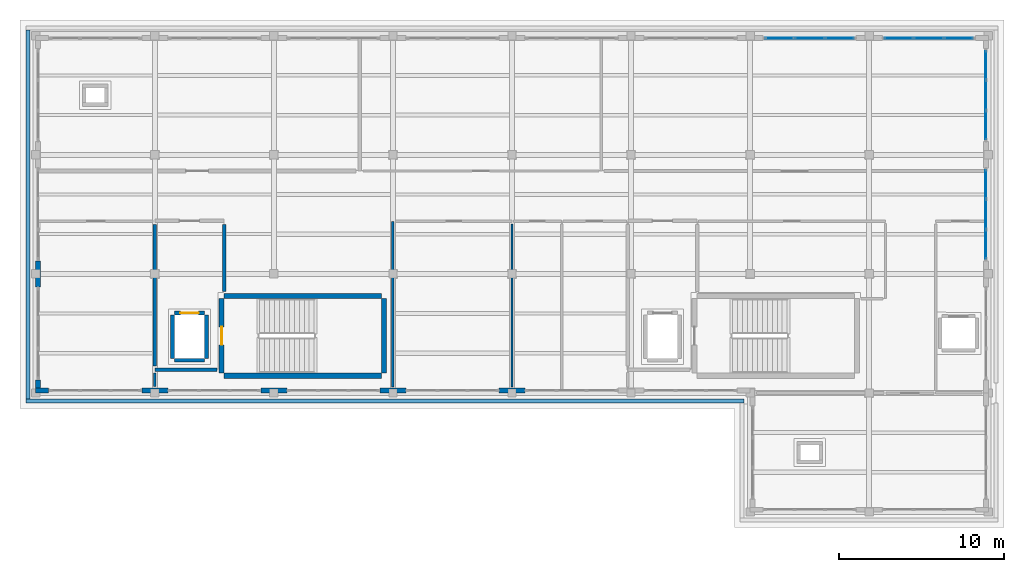
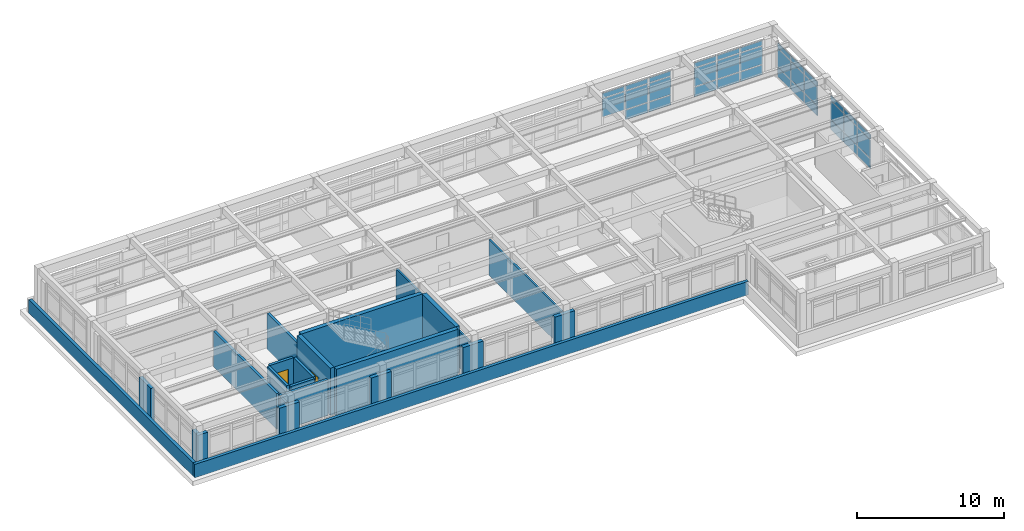
# One storey, part 13 of 18: 35 plates, 23 walls, 2 doors, 2 openings, 4 elements without a shape of their own.
"""IFC4 building model written with IfcOpenShell, lengths in metres."""

from ifc_helpers import new_model, si_unit, direction, frame, frame_2d, origin, origin_2d, place, context, subcontext, project, spatial, rectangle, extrude, material, layer, layer_set, type_object, element, fill, aggregate, save


model = new_model("IFC4")

# Units and contexts
model_context = context("Model", 3, precision=1e-05, world=origin(), true_north=direction((0.0, 1.0)))
body_context = subcontext(model_context, "Body", "Model", "MODEL_VIEW")
ifc_project = project(units=[si_unit("LENGTHUNIT", "METRE"), si_unit("AREAUNIT", "SQUARE_METRE"), si_unit("VOLUMEUNIT", "CUBIC_METRE"), si_unit("PLANEANGLEUNIT", "RADIAN"), si_unit("MASSUNIT", "GRAM", prefix="KILO")], contexts=[model_context])

# Site, building, storey
site_placement = place(None, origin())
site = spatial("IfcSite", under=ifc_project, at=site_placement, CompositionType="ELEMENT")
building_placement = place(site_placement, origin())
building = spatial("IfcBuilding", under=site, at=building_placement, Name="Solenvale Faculty of Natural Sciences", CompositionType="ELEMENT")
storey_placement = place(building_placement, frame((0.0, 0.0, 43.800048828125)))
storey = spatial("IfcBuildingStorey", under=building, at=storey_placement, Name="L10", CompositionType="ELEMENT", Elevation=43.800048828125)

# Curtain wall, plates
ifc_material_1 = material(Name="Anodised bronze aluminium", Category="aluminium")
ifc_layer_1 = layer(ifc_material_1, 0.179931640625)
ifc_layer_set_1 = layer_set([ifc_layer_1], Name="Anodised bronze aluminium")
curtain_wall_type = type_object("IfcCurtainWallType", Name="CW-TWR-MOD", PredefinedType="USERDEFINED", material=ifc_layer_set_1)
curtain_wall_1_placement = place(storey_placement, origin())
curtain_wall_1 = element("IfcCurtainWall", 1, at=curtain_wall_1_placement, inside=storey, type_object=curtain_wall_type, Name="L10 Curtain Wall CW-L10-P1-E1-B2", ObjectType="UNITISED CURTAIN WALL", PredefinedType="USERDEFINED")
ifc_layer_2 = layer(ifc_material_1, 0.053955078125)
ifc_layer_set_2 = layer_set([ifc_layer_2], Name="Anodised bronze aluminium")
plate_type_1 = type_object("IfcPlateType", Name="CWP-PNL-54", PredefinedType="CURTAIN_PANEL", material=ifc_layer_set_2)
plate_1_placement = place(storey_placement, frame((151.0576171875, 102.58544921875, 0.074951171875), z_axis=(0.0, 0.0, 1.0), x_axis=(0.0, 1.0, 0.0)))
plate_1 = element("IfcPlate", 2, at=plate_1_placement, type_object=plate_type_1, Name="CW-04 panel 1.1", PredefinedType="CURTAIN_PANEL", context=body_context, shape_type="SweptSolid", body=[
    extrude(rectangle(XDim=1.720947265625, YDim=0.053955078125, at=origin_2d()), origin(), (0.0, 0.0, 1.0), 0.78759765625),
])
plate_2_placement = place(storey_placement, frame((151.0576171875, 102.58544921875, 0.9375), z_axis=(0.0, 0.0, 1.0), x_axis=(0.0, 1.0, 0.0)))
plate_2 = element("IfcPlate", 3, at=plate_2_placement, type_object=plate_type_1, Name="CW-04 panel 1.2", PredefinedType="CURTAIN_PANEL", context=body_context, shape_type="SweptSolid", body=[
    extrude(rectangle(XDim=1.720947265625, YDim=0.053955078125, at=origin_2d()), origin(), (0.0, 0.0, 1.0), 1.485107421875),
])
plate_3_placement = place(storey_placement, frame((151.0576171875, 102.58544921875, 2.49755859375), z_axis=(0.0, 0.0, 1.0), x_axis=(0.0, 1.0, 0.0)))
plate_3 = element("IfcPlate", 4, at=plate_3_placement, type_object=plate_type_1, Name="CW-04 panel 1.3", PredefinedType="CURTAIN_PANEL", context=body_context, shape_type="SweptSolid", body=[
    extrude(rectangle(XDim=1.720947265625, YDim=0.053955078125, at=origin_2d()), origin(), (0.0, 0.0, 1.0), 0.387451171875),
])
plate_4_placement = place(storey_placement, frame((151.0576171875, 104.39990234375, 0.074951171875), z_axis=(0.0, 0.0, 1.0), x_axis=(0.0, 1.0, 0.0)))
plate_4 = element("IfcPlate", 5, at=plate_4_placement, type_object=plate_type_1, Name="CW-04 panel 2.1", PredefinedType="CURTAIN_PANEL", context=body_context, shape_type="SweptSolid", body=[
    extrude(rectangle(XDim=1.75830078125, YDim=0.053955078125, at=origin_2d()), origin(), (0.0, 0.0, 1.0), 0.78759765625),
])
plate_5_placement = place(storey_placement, frame((151.0576171875, 104.39990234375, 0.9375), z_axis=(0.0, 0.0, 1.0), x_axis=(0.0, 1.0, 0.0)))
plate_5 = element("IfcPlate", 6, at=plate_5_placement, type_object=plate_type_1, Name="CW-04 panel 2.2", PredefinedType="CURTAIN_PANEL", context=body_context, shape_type="SweptSolid", body=[
    extrude(rectangle(XDim=1.75830078125, YDim=0.053955078125, at=origin_2d()), origin(), (0.0, 0.0, 1.0), 1.485107421875),
])
plate_6_placement = place(storey_placement, frame((151.0576171875, 104.39990234375, 2.49755859375), z_axis=(0.0, 0.0, 1.0), x_axis=(0.0, 1.0, 0.0)))
plate_6 = element("IfcPlate", 7, at=plate_6_placement, type_object=plate_type_1, Name="CW-04 panel 2.3", PredefinedType="CURTAIN_PANEL", context=body_context, shape_type="SweptSolid", body=[
    extrude(rectangle(XDim=1.75830078125, YDim=0.053955078125, at=origin_2d()), origin(), (0.0, 0.0, 1.0), 0.387451171875),
])
plate_7_placement = place(storey_placement, frame((151.0576171875, 106.214599609375, 0.074951171875), z_axis=(0.0, 0.0, 1.0), x_axis=(0.0, 1.0, 0.0)))
plate_7 = element("IfcPlate", 8, at=plate_7_placement, type_object=plate_type_1, Name="CW-04 panel 3.1", PredefinedType="CURTAIN_PANEL", context=body_context, shape_type="SweptSolid", body=[
    extrude(rectangle(XDim=1.720947265625, YDim=0.053955078125, at=origin_2d()), origin(), (0.0, 0.0, 1.0), 0.78759765625),
])
plate_8_placement = place(storey_placement, frame((151.0576171875, 106.214599609375, 0.9375), z_axis=(0.0, 0.0, 1.0), x_axis=(0.0, 1.0, 0.0)))
plate_8 = element("IfcPlate", 9, at=plate_8_placement, type_object=plate_type_1, Name="CW-04 panel 3.2", PredefinedType="CURTAIN_PANEL", context=body_context, shape_type="SweptSolid", body=[
    extrude(rectangle(XDim=1.720947265625, YDim=0.053955078125, at=origin_2d()), origin(), (0.0, 0.0, 1.0), 1.485107421875),
])
plate_9_placement = place(storey_placement, frame((151.0576171875, 106.214599609375, 2.49755859375), z_axis=(0.0, 0.0, 1.0), x_axis=(0.0, 1.0, 0.0)))
plate_9 = element("IfcPlate", 10, at=plate_9_placement, type_object=plate_type_1, Name="CW-04 panel 3.3", PredefinedType="CURTAIN_PANEL", context=body_context, shape_type="SweptSolid", body=[
    extrude(rectangle(XDim=1.720947265625, YDim=0.053955078125, at=origin_2d()), origin(), (0.0, 0.0, 1.0), 0.387451171875),
])
aggregate(curtain_wall_1, [plate_1, plate_2, plate_3, plate_4, plate_5, plate_6, plate_7, plate_8, plate_9])

curtain_wall_2_placement = place(storey_placement, origin())
curtain_wall_2 = element("IfcCurtainWall", 11, at=curtain_wall_2_placement, inside=storey, type_object=curtain_wall_type, Name="L10 Curtain Wall CW-L10-P1-E2-B1", ObjectType="UNITISED CURTAIN WALL", PredefinedType="USERDEFINED")
plate_10_placement = place(storey_placement, frame((149.41455078125, 115.0576171875, 0.074951171875), z_axis=(0.0, 0.0, 1.0), x_axis=(-1.0, 0.0, 0.0)))
plate_10 = element("IfcPlate", 12, at=plate_10_placement, type_object=plate_type_1, Name="CW-04 panel 1.1", PredefinedType="CURTAIN_PANEL", context=body_context, shape_type="SweptSolid", body=[
    extrude(rectangle(XDim=1.720947265625, YDim=0.053955078125, at=origin_2d()), origin(), (0.0, 0.0, 1.0), 0.78759765625),
])
plate_11_placement = place(storey_placement, frame((149.41455078125, 115.0576171875, 0.9375), z_axis=(0.0, 0.0, 1.0), x_axis=(-1.0, 0.0, 0.0)))
plate_11 = element("IfcPlate", 13, at=plate_11_placement, type_object=plate_type_1, Name="CW-04 panel 1.2", PredefinedType="CURTAIN_PANEL", context=body_context, shape_type="SweptSolid", body=[
    extrude(rectangle(XDim=1.720947265625, YDim=0.053955078125, at=origin_2d()), origin(), (0.0, 0.0, 1.0), 1.485107421875),
])
plate_12_placement = place(storey_placement, frame((149.41455078125, 115.0576171875, 2.49755859375), z_axis=(0.0, 0.0, 1.0), x_axis=(-1.0, 0.0, 0.0)))
plate_12 = element("IfcPlate", 14, at=plate_12_placement, type_object=plate_type_1, Name="CW-04 panel 1.3", PredefinedType="CURTAIN_PANEL", context=body_context, shape_type="SweptSolid", body=[
    extrude(rectangle(XDim=1.720947265625, YDim=0.053955078125, at=origin_2d()), origin(), (0.0, 0.0, 1.0), 0.387451171875),
])
plate_13_placement = place(storey_placement, frame((147.60009765625, 115.0576171875, 0.074951171875), z_axis=(0.0, 0.0, 1.0), x_axis=(-1.0, 0.0, 0.0)))
plate_13 = element("IfcPlate", 15, at=plate_13_placement, type_object=plate_type_1, Name="CW-04 panel 2.1", PredefinedType="CURTAIN_PANEL", context=body_context, shape_type="SweptSolid", body=[
    extrude(rectangle(XDim=1.75830078125, YDim=0.053955078125, at=origin_2d()), origin(), (0.0, 0.0, 1.0), 0.78759765625),
])
plate_14_placement = place(storey_placement, frame((147.60009765625, 115.0576171875, 0.9375), z_axis=(0.0, 0.0, 1.0), x_axis=(-1.0, 0.0, 0.0)))
plate_14 = element("IfcPlate", 16, at=plate_14_placement, type_object=plate_type_1, Name="CW-04 panel 2.2", PredefinedType="CURTAIN_PANEL", context=body_context, shape_type="SweptSolid", body=[
    extrude(rectangle(XDim=1.75830078125, YDim=0.053955078125, at=origin_2d()), origin(), (0.0, 0.0, 1.0), 1.485107421875),
])
plate_15_placement = place(storey_placement, frame((147.60009765625, 115.0576171875, 2.49755859375), z_axis=(0.0, 0.0, 1.0), x_axis=(-1.0, 0.0, 0.0)))
plate_15 = element("IfcPlate", 17, at=plate_15_placement, type_object=plate_type_1, Name="CW-04 panel 2.3", PredefinedType="CURTAIN_PANEL", context=body_context, shape_type="SweptSolid", body=[
    extrude(rectangle(XDim=1.75830078125, YDim=0.053955078125, at=origin_2d()), origin(), (0.0, 0.0, 1.0), 0.387451171875),
])
plate_16_placement = place(storey_placement, frame((145.785400390625, 115.0576171875, 0.074951171875), z_axis=(0.0, 0.0, 1.0), x_axis=(-1.0, 0.0, 0.0)))
plate_16 = element("IfcPlate", 18, at=plate_16_placement, type_object=plate_type_1, Name="CW-04 panel 3.1", PredefinedType="CURTAIN_PANEL", context=body_context, shape_type="SweptSolid", body=[
    extrude(rectangle(XDim=1.720947265625, YDim=0.053955078125, at=origin_2d()), origin(), (0.0, 0.0, 1.0), 0.78759765625),
])
plate_17_placement = place(storey_placement, frame((145.785400390625, 115.0576171875, 0.9375), z_axis=(0.0, 0.0, 1.0), x_axis=(-1.0, 0.0, 0.0)))
plate_17 = element("IfcPlate", 19, at=plate_17_placement, type_object=plate_type_1, Name="CW-04 panel 3.2", PredefinedType="CURTAIN_PANEL", context=body_context, shape_type="SweptSolid", body=[
    extrude(rectangle(XDim=1.720947265625, YDim=0.053955078125, at=origin_2d()), origin(), (0.0, 0.0, 1.0), 1.485107421875),
])
plate_18_placement = place(storey_placement, frame((145.785400390625, 115.0576171875, 2.49755859375), z_axis=(0.0, 0.0, 1.0), x_axis=(-1.0, 0.0, 0.0)))
plate_18 = element("IfcPlate", 20, at=plate_18_placement, type_object=plate_type_1, Name="CW-04 panel 3.3", PredefinedType="CURTAIN_PANEL", context=body_context, shape_type="SweptSolid", body=[
    extrude(rectangle(XDim=1.720947265625, YDim=0.053955078125, at=origin_2d()), origin(), (0.0, 0.0, 1.0), 0.387451171875),
])
aggregate(curtain_wall_2, [plate_10, plate_11, plate_12, plate_13, plate_14, plate_15, plate_16, plate_17, plate_18])

curtain_wall_3_placement = place(storey_placement, origin())
curtain_wall_3 = element("IfcCurtainWall", 21, at=curtain_wall_3_placement, inside=storey, type_object=curtain_wall_type, Name="L10 Curtain Wall CW-L10-P1-E1-B3", ObjectType="UNITISED CURTAIN WALL", PredefinedType="USERDEFINED")
ifc_layer_3 = layer(ifc_material_1, 0.06005859375)
ifc_layer_set_3 = layer_set([ifc_layer_3], Name="Anodised bronze aluminium")
plate_type_2 = type_object("IfcPlateType", Name="CWP-PNL-60", PredefinedType="CURTAIN_PANEL", material=ifc_layer_set_3)
plate_19_placement = place(storey_placement, frame((151.0576171875, 109.785400390625, 0.074951171875), z_axis=(0.0, 0.0, 1.0), x_axis=(0.0, 1.0, 0.0)))
plate_19 = element("IfcPlate", 22, at=plate_19_placement, type_object=plate_type_2, Name="CW-04 panel 1.1", PredefinedType="CURTAIN_PANEL", context=body_context, shape_type="SweptSolid", body=[
    extrude(rectangle(XDim=1.720947265625, YDim=0.06005859375, at=origin_2d()), origin(), (0.0, 0.0, 1.0), 0.78759765625),
])
plate_20_placement = place(storey_placement, frame((151.0576171875, 109.785400390625, 0.9375), z_axis=(0.0, 0.0, 1.0), x_axis=(0.0, 1.0, 0.0)))
plate_20 = element("IfcPlate", 23, at=plate_20_placement, type_object=plate_type_2, Name="CW-04 panel 1.2", PredefinedType="CURTAIN_PANEL", context=body_context, shape_type="SweptSolid", body=[
    extrude(rectangle(XDim=1.720947265625, YDim=0.06005859375, at=origin_2d()), origin(), (0.0, 0.0, 1.0), 1.485107421875),
])
plate_21_placement = place(storey_placement, frame((151.0576171875, 109.785400390625, 2.49755859375), z_axis=(0.0, 0.0, 1.0), x_axis=(0.0, 1.0, 0.0)))
plate_21 = element("IfcPlate", 24, at=plate_21_placement, type_object=plate_type_2, Name="CW-04 panel 1.3", PredefinedType="CURTAIN_PANEL", context=body_context, shape_type="SweptSolid", body=[
    extrude(rectangle(XDim=1.720947265625, YDim=0.06005859375, at=origin_2d()), origin(), (0.0, 0.0, 1.0), 0.387451171875),
])
plate_22_placement = place(storey_placement, frame((151.0576171875, 111.60009765625, 0.074951171875), z_axis=(0.0, 0.0, 1.0), x_axis=(0.0, 1.0, 0.0)))
plate_22 = element("IfcPlate", 25, at=plate_22_placement, type_object=plate_type_2, Name="CW-04 panel 2.1", PredefinedType="CURTAIN_PANEL", context=body_context, shape_type="SweptSolid", body=[
    extrude(rectangle(XDim=1.75830078125, YDim=0.06005859375, at=origin_2d()), origin(), (0.0, 0.0, 1.0), 0.78759765625),
])
plate_23_placement = place(storey_placement, frame((151.0576171875, 111.60009765625, 0.9375), z_axis=(0.0, 0.0, 1.0), x_axis=(0.0, 1.0, 0.0)))
plate_23 = element("IfcPlate", 26, at=plate_23_placement, type_object=plate_type_2, Name="CW-04 panel 2.2", PredefinedType="CURTAIN_PANEL", context=body_context, shape_type="SweptSolid", body=[
    extrude(rectangle(XDim=1.75830078125, YDim=0.06005859375, at=origin_2d()), origin(), (0.0, 0.0, 1.0), 1.485107421875),
])
plate_24_placement = place(storey_placement, frame((151.0576171875, 111.60009765625, 2.49755859375), z_axis=(0.0, 0.0, 1.0), x_axis=(0.0, 1.0, 0.0)))
plate_24 = element("IfcPlate", 27, at=plate_24_placement, type_object=plate_type_2, Name="CW-04 panel 2.3", PredefinedType="CURTAIN_PANEL", context=body_context, shape_type="SweptSolid", body=[
    extrude(rectangle(XDim=1.75830078125, YDim=0.06005859375, at=origin_2d()), origin(), (0.0, 0.0, 1.0), 0.387451171875),
])
plate_25_placement = place(storey_placement, frame((151.0576171875, 113.41455078125, 0.074951171875), z_axis=(0.0, 0.0, 1.0), x_axis=(0.0, 1.0, 0.0)))
plate_25 = element("IfcPlate", 28, at=plate_25_placement, type_object=plate_type_2, Name="CW-04 panel 3.1", PredefinedType="CURTAIN_PANEL", context=body_context, shape_type="SweptSolid", body=[
    extrude(rectangle(XDim=1.720947265625, YDim=0.06005859375, at=origin_2d()), origin(), (0.0, 0.0, 1.0), 0.78759765625),
])
plate_26_placement = place(storey_placement, frame((151.0576171875, 113.41455078125, 0.9375), z_axis=(0.0, 0.0, 1.0), x_axis=(0.0, 1.0, 0.0)))
plate_26 = element("IfcPlate", 29, at=plate_26_placement, type_object=plate_type_2, Name="CW-04 panel 3.2", PredefinedType="CURTAIN_PANEL", context=body_context, shape_type="SweptSolid", body=[
    extrude(rectangle(XDim=1.720947265625, YDim=0.06005859375, at=origin_2d()), origin(), (0.0, 0.0, 1.0), 1.485107421875),
])
plate_27_placement = place(storey_placement, frame((151.0576171875, 113.41455078125, 2.49755859375), z_axis=(0.0, 0.0, 1.0), x_axis=(0.0, 1.0, 0.0)))
plate_27 = element("IfcPlate", 30, at=plate_27_placement, type_object=plate_type_2, Name="CW-04 panel 3.3", PredefinedType="CURTAIN_PANEL", context=body_context, shape_type="SweptSolid", body=[
    extrude(rectangle(XDim=1.720947265625, YDim=0.06005859375, at=origin_2d()), origin(), (0.0, 0.0, 1.0), 0.387451171875),
])
aggregate(curtain_wall_3, [plate_19, plate_20, plate_21, plate_22, plate_23, plate_24, plate_25, plate_26, plate_27])

curtain_wall_4_placement = place(storey_placement, origin())
curtain_wall_4 = element("IfcCurtainWall", 31, at=curtain_wall_4_placement, inside=storey, type_object=curtain_wall_type, Name="L10 Curtain Wall CW-L10-P1-E2-B2", ObjectType="UNITISED CURTAIN WALL", PredefinedType="USERDEFINED")
plate_28_placement = place(storey_placement, frame((142.214599609375, 115.0576171875, 0.074951171875), z_axis=(0.0, 0.0, 1.0), x_axis=(-1.0, 0.0, 0.0)))
plate_28 = element("IfcPlate", 32, at=plate_28_placement, type_object=plate_type_2, Name="CW-04 panel 1.1", PredefinedType="CURTAIN_PANEL", context=body_context, shape_type="SweptSolid", body=[
    extrude(rectangle(XDim=1.720947265625, YDim=0.06005859375, at=origin_2d()), origin(), (0.0, 0.0, 1.0), 0.78759765625),
])
plate_29_placement = place(storey_placement, frame((142.214599609375, 115.0576171875, 0.9375), z_axis=(0.0, 0.0, 1.0), x_axis=(-1.0, 0.0, 0.0)))
plate_29 = element("IfcPlate", 33, at=plate_29_placement, type_object=plate_type_2, Name="CW-04 panel 1.2", PredefinedType="CURTAIN_PANEL", context=body_context, shape_type="SweptSolid", body=[
    extrude(rectangle(XDim=1.720947265625, YDim=0.06005859375, at=origin_2d()), origin(), (0.0, 0.0, 1.0), 1.485107421875),
])
plate_30_placement = place(storey_placement, frame((142.214599609375, 115.0576171875, 2.49755859375), z_axis=(0.0, 0.0, 1.0), x_axis=(-1.0, 0.0, 0.0)))
plate_30 = element("IfcPlate", 34, at=plate_30_placement, type_object=plate_type_2, Name="CW-04 panel 1.3", PredefinedType="CURTAIN_PANEL", context=body_context, shape_type="SweptSolid", body=[
    extrude(rectangle(XDim=1.720947265625, YDim=0.06005859375, at=origin_2d()), origin(), (0.0, 0.0, 1.0), 0.387451171875),
])
plate_31_placement = place(storey_placement, frame((140.39990234375, 115.0576171875, 0.074951171875), z_axis=(0.0, 0.0, 1.0), x_axis=(-1.0, 0.0, 0.0)))
plate_31 = element("IfcPlate", 35, at=plate_31_placement, type_object=plate_type_2, Name="CW-04 panel 2.1", PredefinedType="CURTAIN_PANEL", context=body_context, shape_type="SweptSolid", body=[
    extrude(rectangle(XDim=1.75830078125, YDim=0.06005859375, at=origin_2d()), origin(), (0.0, 0.0, 1.0), 0.78759765625),
])
plate_32_placement = place(storey_placement, frame((140.39990234375, 115.0576171875, 0.9375), z_axis=(0.0, 0.0, 1.0), x_axis=(-1.0, 0.0, 0.0)))
plate_32 = element("IfcPlate", 36, at=plate_32_placement, type_object=plate_type_2, Name="CW-04 panel 2.2", PredefinedType="CURTAIN_PANEL", context=body_context, shape_type="SweptSolid", body=[
    extrude(rectangle(XDim=1.75830078125, YDim=0.06005859375, at=origin_2d()), origin(), (0.0, 0.0, 1.0), 1.485107421875),
])
plate_33_placement = place(storey_placement, frame((140.39990234375, 115.0576171875, 2.49755859375), z_axis=(0.0, 0.0, 1.0), x_axis=(-1.0, 0.0, 0.0)))
plate_33 = element("IfcPlate", 37, at=plate_33_placement, type_object=plate_type_2, Name="CW-04 panel 2.3", PredefinedType="CURTAIN_PANEL", context=body_context, shape_type="SweptSolid", body=[
    extrude(rectangle(XDim=1.75830078125, YDim=0.06005859375, at=origin_2d()), origin(), (0.0, 0.0, 1.0), 0.387451171875),
])
plate_34_placement = place(storey_placement, frame((138.58544921875, 115.0576171875, 0.9375), z_axis=(0.0, 0.0, 1.0), x_axis=(-1.0, 0.0, 0.0)))
plate_34 = element("IfcPlate", 38, at=plate_34_placement, type_object=plate_type_2, Name="CW-04 panel 3.2", PredefinedType="CURTAIN_PANEL", context=body_context, shape_type="SweptSolid", body=[
    extrude(rectangle(XDim=1.720947265625, YDim=0.06005859375, at=origin_2d()), origin(), (0.0, 0.0, 1.0), 1.485107421875),
])
plate_35_placement = place(storey_placement, frame((138.58544921875, 115.0576171875, 2.49755859375), z_axis=(0.0, 0.0, 1.0), x_axis=(-1.0, 0.0, 0.0)))
plate_35 = element("IfcPlate", 39, at=plate_35_placement, type_object=plate_type_2, Name="CW-04 panel 3.3", PredefinedType="CURTAIN_PANEL", context=body_context, shape_type="SweptSolid", body=[
    extrude(rectangle(XDim=1.720947265625, YDim=0.06005859375, at=origin_2d()), origin(), (0.0, 0.0, 1.0), 0.387451171875),
])
aggregate(curtain_wall_4, [plate_28, plate_29, plate_30, plate_31, plate_32, plate_33, plate_34, plate_35])

# Walls
ifc_material_2 = material(Name="Precast concrete 40 MPa", Category="concrete")
ifc_layer_4 = layer(ifc_material_2, 0.284912109375)
ifc_layer_set_4 = layer_set([ifc_layer_4], Name="Precast concrete 40 MPa")
wall_type_1 = type_object("IfcWallType", Name="WL-EXT-PRC-285", PredefinedType="STANDARD", material=ifc_layer_set_4)
wall_1_placement = place(storey_placement, frame((93.742431640625, 101.587890625, 0.0), z_axis=(0.0, 0.0, 1.0), x_axis=(0.0, -1.0, 0.0)))
element("IfcWall", 40, at=wall_1_placement, inside=storey, type_object=wall_type_1, Name="L10 Facade Closure Pier 3.B2-R", PredefinedType="STANDARD", context=body_context, shape_type="SweptSolid", body=[
    extrude(rectangle(XDim=1.575927734375, YDim=0.284912109375, at=frame_2d((0.7880859375, 0.0))), origin(), (0.0, 0.0, 1.0), 2.9599609375),
])
wall_2_placement = place(storey_placement, frame((93.742431640625, 94.387939453125, 0.0), z_axis=(0.0, 0.0, 1.0), x_axis=(0.0, -1.0, 0.0)))
element("IfcWall", 41, at=wall_2_placement, inside=storey, type_object=wall_type_1, Name="L10 Facade Closure Pier 3.B3-R", PredefinedType="STANDARD", context=body_context, shape_type="SweptSolid", body=[
    extrude(rectangle(XDim=0.5029296875, YDim=0.284912109375, at=frame_2d((0.25146484375, 0.0))), origin(), (0.0, 0.0, 1.0), 2.9599609375),
])
wall_3_placement = place(storey_placement, frame((93.60009765625, 93.742431640625, 0.0), z_axis=(0.0, 0.0, 1.0), x_axis=(1.0, 0.0, 0.0)))
element("IfcWall", 42, at=wall_3_placement, inside=storey, type_object=wall_type_1, Name="L10 Facade Closure Pier 4.B1-L", PredefinedType="STANDARD", context=body_context, shape_type="SweptSolid", body=[
    extrude(rectangle(XDim=0.787841796875, YDim=0.284912109375, at=frame_2d((0.39404296875, 0.0))), origin(), (0.0, 0.0, 1.0), 2.9599609375),
])
wall_4_placement = place(storey_placement, frame((100.011962890625, 93.742431640625, 0.0), z_axis=(0.0, 0.0, 1.0), x_axis=(1.0, 0.0, 0.0)))
element("IfcWall", 43, at=wall_4_placement, inside=storey, type_object=wall_type_1, Name="L10 Facade Closure Pier 4.B1-R", PredefinedType="STANDARD", context=body_context, shape_type="SweptSolid", body=[
    extrude(rectangle(XDim=1.575927734375, YDim=0.284912109375, at=frame_2d((0.7880859375, 0.0))), origin(), (0.0, 0.0, 1.0), 2.9599609375),
])
wall_5_placement = place(storey_placement, frame((107.2119140625, 93.742431640625, 0.0), z_axis=(0.0, 0.0, 1.0), x_axis=(1.0, 0.0, 0.0)))
element("IfcWall", 44, at=wall_5_placement, inside=storey, type_object=wall_type_1, Name="L10 Facade Closure Pier 4.B2-R", PredefinedType="STANDARD", context=body_context, shape_type="SweptSolid", body=[
    extrude(rectangle(XDim=1.576171875, YDim=0.284912109375, at=frame_2d((0.7880859375, 0.0))), origin(), (0.0, 0.0, 1.0), 2.9599609375),
])
for number, where, z_axis, x_axis, name in (
    (45, (114.412109375, 93.742431640625, 0.0), (0.0, 0.0, 1.0), (1.0, 0.0, 0.0), "L10 Facade Closure Pier 4.B3-R"),
    (46, (121.612060546875, 93.742431640625, 0.0), (0.0, 0.0, 1.0), (1.0, 0.0, 0.0), "L10 Facade Closure Pier 4.B4-R"),
):
    element("IfcWall", number, at=place(storey_placement, frame(where, z_axis=z_axis, x_axis=x_axis)), inside=storey, type_object=wall_type_1, Name=name, PredefinedType="STANDARD", context=body_context, shape_type="SweptSolid", body=[
        extrude(rectangle(XDim=1.575927734375, YDim=0.284912109375, at=frame_2d((0.7880859375, 0.0))), origin(), (0.0, 0.0, 1.0), 2.9599609375),
    ])
ifc_material_3 = material(Name="Gypsum fire-rated shaftwall")
ifc_layer_5 = layer(ifc_material_3, 0.205078125)
ifc_layer_set_5 = layer_set([ifc_layer_5], Name="Gypsum fire-rated shaftwall")
wall_type_2 = type_object("IfcWallType", Name="WL-FFL-205", PredefinedType="PARTITIONING", material=ifc_layer_set_5)
wall_6_placement = place(storey_placement, frame((105.0, 103.782958984375, 0.0), z_axis=(0.0, 0.0, 1.0), x_axis=(0.0, -1.0, 0.0)))
element("IfcWall", 47, at=wall_6_placement, inside=storey, type_object=wall_type_2, Name="L10 Firefighting Lobby C4 Partition 2", PredefinedType="PARTITIONING", context=body_context, shape_type="SweptSolid", body=[
    extrude(rectangle(XDim=4.049072265625, YDim=0.205078125, at=frame_2d((2.0244140625, 0.0))), origin(), (0.0, 0.0, 1.0), 2.9599609375),
])
wall_7_placement = place(storey_placement, frame((104.56591796875, 95.0, 0.0), z_axis=(0.0, 0.0, 1.0), x_axis=(-1.0, 0.0, 0.0)))
element("IfcWall", 48, at=wall_7_placement, inside=storey, type_object=wall_type_2, Name="L10 Firefighting Lobby C4 Partition 20", PredefinedType="PARTITIONING", context=body_context, shape_type="SweptSolid", body=[
    extrude(rectangle(XDim=3.765869140625, YDim=0.205078125, at=frame_2d((1.8828125, 0.0))), origin(), (0.0, 0.0, 1.0), 2.9599609375),
])
wall_8_placement = place(storey_placement, frame((100.800048828125, 95.217041015625, 0.0), z_axis=(0.0, 0.0, 1.0), x_axis=(0.0, 1.0, 0.0)))
element("IfcWall", 49, at=wall_8_placement, inside=storey, type_object=wall_type_2, Name="L10 Firefighting Lobby C4 Partition 21", PredefinedType="PARTITIONING", context=body_context, shape_type="SweptSolid", body=[
    extrude(rectangle(XDim=8.56591796875, YDim=0.205078125, at=frame_2d((4.282958984375, 0.0))), origin(), (0.0, 0.0, 1.0), 2.9599609375),
])
ifc_material_4 = material(Name="Architectural bronze concrete 40 MPa", Category="concrete")
ifc_layer_6 = layer(ifc_material_4, 0.239990234375)
ifc_layer_set_6 = layer_set([ifc_layer_6], Name="Architectural bronze concrete 40 MPa")
wall_type_3 = type_object("IfcWallType", Name="WL-PAR-BRZ-240", PredefinedType="PARAPET", material=ifc_layer_set_6)
wall_9_placement = place(storey_placement, frame((136.43994140625, 93.1201171875, 0.0), z_axis=(0.0, 0.0, 1.0), x_axis=(-1.0, 0.0, 0.0)))
element("IfcWall", 50, at=wall_9_placement, inside=storey, type_object=wall_type_3, Name="L10 Tower Horizontal Concrete Band 1", PredefinedType="PARAPET", context=body_context, shape_type="SweptSolid", body=[
    extrude(rectangle(XDim=43.43994140625, YDim=0.239990234375, at=frame_2d((21.719970703125, 0.0))), origin(), (0.0, 0.0, 1.0), 1.119873046875),
])
wall_10_placement = place(storey_placement, frame((93.1201171875, 93.239990234375, 0.0), z_axis=(0.0, 0.0, 1.0), x_axis=(0.0, 1.0, 0.0)))
element("IfcWall", 51, at=wall_10_placement, inside=storey, type_object=wall_type_3, Name="L10 Tower Horizontal Concrete Band 2", PredefinedType="PARAPET", context=body_context, shape_type="SweptSolid", body=[
    extrude(rectangle(XDim=22.320068359375, YDim=0.239990234375, at=frame_2d((11.16015625, 0.0))), origin(), (0.0, 0.0, 1.0), 1.119873046875),
])
ifc_material_5 = material(Name="Acoustic double-stud gypsum partition")
ifc_layer_7 = layer(ifc_material_5, 0.169921875)
ifc_layer_set_7 = layer_set([ifc_layer_7], Name="Acoustic double-stud gypsum partition")
wall_type_4 = type_object("IfcWallType", Name="WL-SEM-170", PredefinedType="PARTITIONING", material=ifc_layer_set_7)
wall_11_placement = place(storey_placement, frame((100.800048828125, 94.800048828125, 0.0), z_axis=(0.0, 0.0, 1.0), x_axis=(0.0, -1.0, 0.0)))
element("IfcWall", 52, at=wall_11_placement, inside=storey, type_object=wall_type_4, Name="L10 Learning Commons Partition 20", PredefinedType="PARTITIONING", context=body_context, shape_type="SweptSolid", body=[
    extrude(rectangle(XDim=0.818115234375, YDim=0.169921875, at=frame_2d((0.4091796875, 0.0))), origin(), (0.0, 0.0, 1.0), 2.9599609375),
])
ifc_material_6 = material(Name="Concrete 40 MPa", Category="concrete")
ifc_layer_8 = layer(ifc_material_6, 0.219970703125)
ifc_layer_set_8 = layer_set([ifc_layer_8], Name="Concrete 40 MPa")
wall_type_5 = type_object("IfcWallType", Name="WL-SHF-220", PredefinedType="STANDARD", material=ifc_layer_set_8)
wall_12_placement = place(storey_placement, frame((101.97998046875, 95.570068359375, 0.0), z_axis=(0.0, 0.0, 1.0), x_axis=(1.0, 0.0, 0.0)))
element("IfcWall", 53, at=wall_12_placement, inside=storey, type_object=wall_type_5, Name="Elevator LF-01 L10 Shaft Wall S", PredefinedType="STANDARD", context=body_context, shape_type="SweptSolid", body=[
    extrude(rectangle(XDim=1.840087890625, YDim=0.219970703125, at=frame_2d((0.919921875, 0.0))), origin(), (0.0, 0.0, 1.0), 2.9599609375),
])

# Wall, opening, door
wall_13_placement = place(storey_placement, frame((101.97998046875, 98.429931640625, 0.0), z_axis=(0.0, 0.0, 1.0), x_axis=(1.0, 0.0, 0.0)))
wall_13 = element("IfcWall", 54, at=wall_13_placement, inside=storey, type_object=wall_type_5, Name="Elevator LF-01 L10 Shaft Wall N", PredefinedType="STANDARD", context=body_context, shape_type="SweptSolid", body=[
    extrude(rectangle(XDim=1.840087890625, YDim=0.219970703125, at=frame_2d((0.919921875, 0.0))), origin(), (0.0, 0.0, 1.0), 2.9599609375),
])
opening_1_placement = place(wall_13_placement, frame((0.3701171875, 0.0, 0.0)))
opening_1 = element("IfcOpeningElement", 55, at=opening_1_placement, cuts=wall_13, Name="Opening LD-LF-01-L10", PredefinedType="OPENING", context=body_context, shape_type="SweptSolid", body=[
    extrude(rectangle(XDim=1.10009765625, YDim=2.14990234375, at=frame_2d((0.550048828125, 1.074951171875))), frame((0.0, 0.119873046875, 0.0), z_axis=(0.0, -1.0, 0.0), x_axis=(1.0, 0.0, 0.0)), (0.0, 0.0, 1.0), 0.239990234375),
])
ifc_material_7 = material(Name="Stainless steel Grade 304", Category="steel")
door_type_1 = type_object("IfcDoorType", Name="DR-LIFT-1100x2150", OperationType="NOTDEFINED", PredefinedType="DOOR", material=ifc_material_7)
door_1_placement = place(opening_1_placement, origin())
door_1 = element("IfcDoor", 56, at=door_1_placement, inside=storey, type_object=door_type_1, Name="Elevator LF-01 L10 Sliding Landing Door", OperationType="SLIDING_TO_LEFT", OverallHeight=2.14990234375, OverallWidth=1.10009765625, PredefinedType="DOOR", context=body_context, shape_type="SweptSolid", body=[
    extrude(rectangle(XDim=1.10009765625, YDim=2.14990234375, at=frame_2d((0.550048828125, 1.074951171875))), frame((0.0, 0.02490234375, 0.0), z_axis=(0.0, -1.0, 0.0), x_axis=(1.0, 0.0, 0.0)), (0.0, 0.0, 1.0), 0.050048828125),
])
fill(opening_1, door_1)

# Walls
for number, where, z_axis, x_axis, name in (
    (57, (101.8701171875, 95.679931640625, 0.0), (0.0, 0.0, 1.0), (0.0, 1.0, 0.0), "Elevator LF-01 L10 Shaft Wall W"),
    (58, (103.929931640625, 95.679931640625, 0.0), (0.0, 0.0, 1.0), (0.0, 1.0, 0.0), "Elevator LF-01 L10 Shaft Wall E"),
):
    element("IfcWall", number, at=place(storey_placement, frame(where, z_axis=z_axis, x_axis=x_axis)), inside=storey, type_object=wall_type_5, Name=name, PredefinedType="STANDARD", context=body_context, shape_type="SweptSolid", body=[
        extrude(rectangle(XDim=2.64013671875, YDim=0.219970703125, at=frame_2d((1.320068359375, 0.0))), origin(), (0.0, 0.0, 1.0), 2.9599609375),
    ])
ifc_layer_9 = layer(ifc_material_6, 0.320068359375)
ifc_layer_set_9 = layer_set([ifc_layer_9], Name="Concrete 40 MPa")
wall_type_6 = type_object("IfcWallType", Name="WL-SHR-320", PredefinedType="SHEAR", material=ifc_layer_set_9)
for number, where, z_axis, x_axis, name in (
    (59, (105.0, 94.639892578125, 0.0), (0.0, 0.0, 1.0), (1.0, 0.0, 0.0), "Core C4 L10 Shear Wall S"),
    (60, (105.0, 99.4599609375, 0.0), (0.0, 0.0, 1.0), (1.0, 0.0, 0.0), "Core C4 L10 Shear Wall N"),
):
    element("IfcWall", number, at=place(storey_placement, frame(where, z_axis=z_axis, x_axis=x_axis)), inside=storey, type_object=wall_type_6, Name=name, PredefinedType="SHEAR", context=body_context, shape_type="SweptSolid", body=[
        extrude(rectangle(XDim=9.5, YDim=0.320068359375, at=frame_2d((4.75, 0.0))), origin(), (0.0, 0.0, 1.0), 3.919921875),
    ])

# Wall, opening, door
wall_14_placement = place(storey_placement, frame((104.840087890625, 94.800048828125, 0.0), z_axis=(0.0, 0.0, 1.0), x_axis=(0.0, 1.0, 0.0)))
wall_14 = element("IfcWall", 61, at=wall_14_placement, inside=storey, type_object=wall_type_6, Name="Core C4 L10 Shear Wall W", PredefinedType="SHEAR", context=body_context, shape_type="SweptSolid", body=[
    extrude(rectangle(XDim=4.5, YDim=0.320068359375, at=frame_2d((2.25, 0.0))), origin(), (0.0, 0.0, 1.0), 3.919921875),
])
opening_2_placement = place(wall_14_placement, frame((1.699951171875, 0.0, 0.0)))
opening_2 = element("IfcOpeningElement", 62, at=opening_2_placement, cuts=wall_14, Name="Opening DS-C4-L10", PredefinedType="OPENING", context=body_context, shape_type="SweptSolid", body=[
    extrude(rectangle(XDim=1.10009765625, YDim=2.14990234375, at=frame_2d((0.550048828125, 1.074951171875))), frame((0.0, 0.169921875, 0.0), z_axis=(0.0, -1.0, 0.0), x_axis=(1.0, 0.0, 0.0)), (0.0, 0.0, 1.0), 0.340087890625),
])
ifc_material_8 = material(Name="Galvanised steel S355", Category="steel")
door_type_2 = type_object("IfcDoorType", Name="DR-STAIR-1100x2150", OperationType="NOTDEFINED", PredefinedType="DOOR", material=ifc_material_8)
door_2_placement = place(opening_2_placement, origin())
door_2 = element("IfcDoor", 63, at=door_2_placement, inside=storey, type_object=door_type_2, Name="L10 Stair ST-04 Fire Door", OperationType="SINGLE_SWING_LEFT", OverallHeight=2.14990234375, OverallWidth=1.10009765625, PredefinedType="DOOR", context=body_context, shape_type="SweptSolid", body=[
    extrude(rectangle(XDim=1.10009765625, YDim=2.14990234375, at=frame_2d((0.550048828125, 1.074951171875))), frame((0.0, 0.02490234375, 0.0), z_axis=(0.0, -1.0, 0.0), x_axis=(1.0, 0.0, 0.0)), (0.0, 0.0, 1.0), 0.050048828125),
])
fill(opening_2, door_2)

# Walls
wall_15_placement = place(storey_placement, frame((114.659912109375, 94.800048828125, 0.0), z_axis=(0.0, 0.0, 1.0), x_axis=(0.0, 1.0, 0.0)))
element("IfcWall", 64, at=wall_15_placement, inside=storey, type_object=wall_type_6, Name="Core C4 L10 Shear Wall E", PredefinedType="SHEAR", context=body_context, shape_type="SweptSolid", body=[
    extrude(rectangle(XDim=4.5, YDim=0.320068359375, at=frame_2d((2.25, 0.0))), origin(), (0.0, 0.0, 1.0), 3.919921875),
])
ifc_material_9 = material(Name="Moisture-resistant tile partition")
ifc_layer_10 = layer(ifc_material_9, 0.14990234375)
ifc_layer_set_10 = layer_set([ifc_layer_10], Name="Moisture-resistant tile partition")
wall_type_7 = type_object("IfcWallType", Name="WL-WC-150", PredefinedType="PARTITIONING", material=ifc_layer_set_10)
wall_16_placement = place(storey_placement, frame((115.199951171875, 93.971923828125, 0.0), z_axis=(0.0, 0.0, 1.0), x_axis=(0.0, 1.0, 0.0)))
element("IfcWall", 65, at=wall_16_placement, inside=storey, type_object=wall_type_7, Name="L10 Public Washroom Partition 1", PredefinedType="PARTITIONING", context=body_context, shape_type="SweptSolid", body=[
    extrude(rectangle(XDim=10.008056640625, YDim=0.14990234375, at=frame_2d((5.00390625, 0.0))), origin(), (0.0, 0.0, 1.0), 2.9599609375),
])
wall_17_placement = place(storey_placement, frame((122.39990234375, 103.818115234375, 0.0), z_axis=(0.0, 0.0, 1.0), x_axis=(0.0, -1.0, 0.0)))
element("IfcWall", 66, at=wall_17_placement, inside=storey, type_object=wall_type_7, Name="L10 Public Washroom Partition 3", PredefinedType="PARTITIONING", context=body_context, shape_type="SweptSolid", body=[
    extrude(rectangle(XDim=9.84619140625, YDim=0.14990234375, at=frame_2d((4.923095703125, 0.0))), origin(), (0.0, 0.0, 1.0), 2.9599609375),
])

save(model, "model.ifc")
